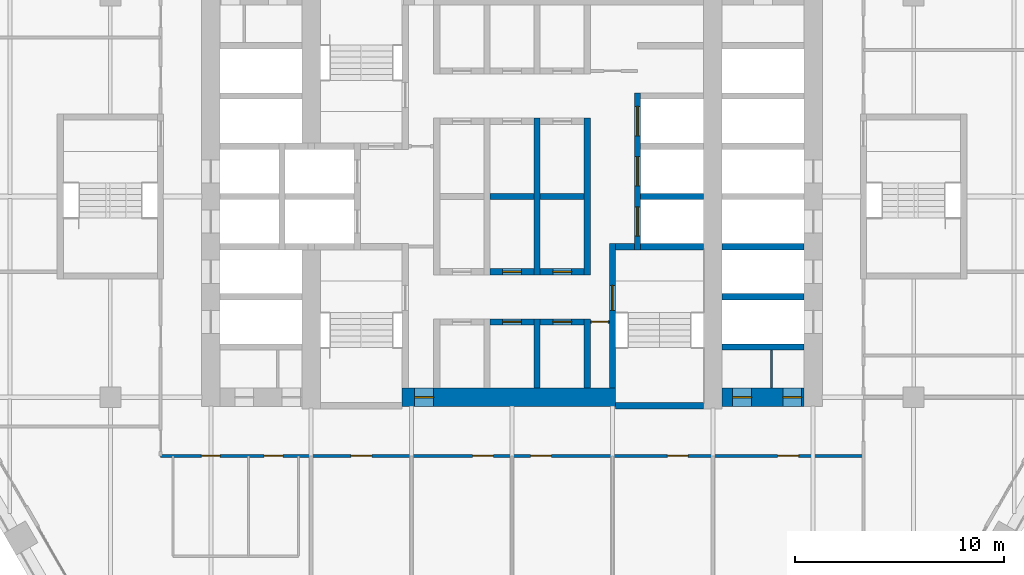
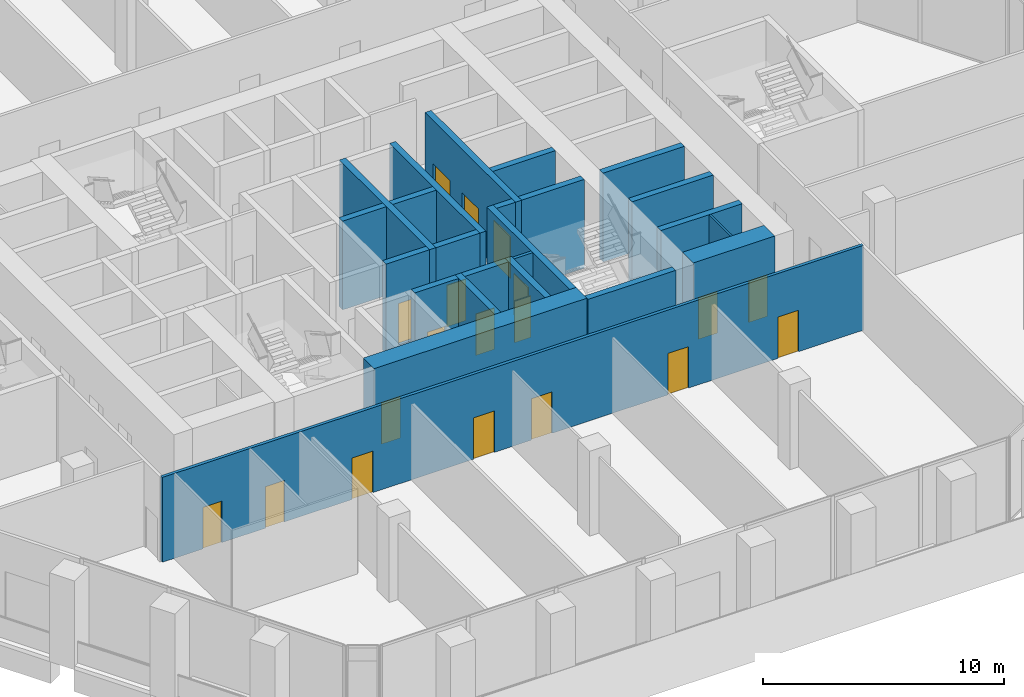
# One storey, part 14 of 22: 24 walls, 19 doors, 19 openings.
"""IFC4 building model written with IfcOpenShell, lengths in metres."""

from ifc_helpers import new_model, si_unit, direction, frame, frame_2d, origin, place, context, subcontext, project, spatial, rectangle, extrude, material, layer, layer_set, type_object, element, fill, save


model = new_model("IFC4")

# Units and contexts
model_context = context("Model", 3, precision=1e-05, world=origin(), true_north=direction((0.0, 1.0)))
body_context = subcontext(model_context, "Body", "Model", "MODEL_VIEW")
ifc_project = project(units=[si_unit("LENGTHUNIT", "METRE"), si_unit("AREAUNIT", "SQUARE_METRE"), si_unit("VOLUMEUNIT", "CUBIC_METRE"), si_unit("PLANEANGLEUNIT", "RADIAN"), si_unit("MASSUNIT", "GRAM", prefix="KILO")], contexts=[model_context])

# Site, building, storey
site_placement = place(None, origin())
site = spatial("IfcSite", under=ifc_project, at=site_placement, CompositionType="ELEMENT")
building_placement = place(site_placement, origin())
building = spatial("IfcBuilding", under=site, at=building_placement, Name="Kolab Exchange Tower", CompositionType="ELEMENT")
storey_placement = place(building_placement, frame((0.0, 0.0, 113.89990234375)))
storey = spatial("IfcBuildingStorey", under=building, at=storey_placement, Name="L22", CompositionType="ELEMENT", Elevation=113.89990234375)

# Wall, opening, door
ifc_material_1 = material(Name="Concrete C70/85", Category="concrete")
ifc_layer_1 = layer(ifc_material_1, 0.89990234375)
ifc_layer_set_1 = layer_set([ifc_layer_1], Name="Concrete C70/85")
wall_type_1 = type_object("IfcWallType", Name="CORE WALL 900 C70/85", PredefinedType="SHEAR", material=ifc_layer_set_1)
wall_1_placement = place(storey_placement, frame((-5.25, -9.60009765625, -0.199951171875), z_axis=(0.0, 0.0, 1.0), x_axis=(1.0, 0.0, 0.0)))
wall_1 = element("IfcWall", 1, at=wall_1_placement, inside=storey, type_object=wall_type_1, Name="wall/L22/core/003", PredefinedType="SHEAR", context=body_context, shape_type="SweptSolid", body=[
    extrude(rectangle(XDim=10.199951171875, YDim=0.89990234375, at=frame_2d((5.10009765625, 0.0))), origin(), (0.0, 0.0, 1.0), 4.5),
])
opening_1_placement = place(wall_1_placement, frame((0.60009765625, 0.0, 0.199951171875)))
opening_1 = element("IfcOpeningElement", 2, at=opening_1_placement, cuts=wall_1, Name="Opening D6-203", PredefinedType="OPENING", context=body_context, shape_type="SweptSolid", body=[
    extrude(rectangle(XDim=0.89990234375, YDim=2.10009765625, at=frame_2d((0.449951171875, 1.050048828125))), frame((0.0, 0.4599609375, 0.0), z_axis=(0.0, -1.0, 0.0), x_axis=(1.0, 0.0, 0.0)), (0.0, 0.0, 1.0), 0.919921875),
])
ifc_material_2 = material(Name="Steel S235", Category="steel")
door_type_1 = type_object("IfcDoorType", Name="CORE DOOR 900 EI 120", OperationType="SINGLE_SWING_LEFT", PredefinedType="DOOR", material=ifc_material_2)
door_1_placement = place(opening_1_placement, origin())
door_1 = element("IfcDoor", 3, at=door_1_placement, inside=storey, type_object=door_type_1, Name="Core lobby door", OperationType="SINGLE_SWING_RIGHT", OverallHeight=2.10009765625, OverallWidth=0.89990234375, PredefinedType="DOOR", context=body_context, shape_type="SweptSolid", body=[
    extrude(rectangle(XDim=0.89990234375, YDim=2.10009765625, at=frame_2d((0.449951171875, 1.050048828125))), frame((0.0, 0.02490234375, 0.0), z_axis=(0.0, -1.0, 0.0), x_axis=(1.0, 0.0, 0.0)), (0.0, 0.0, 1.0), 0.050048828125),
])
fill(opening_1, door_1)

# Wall, openings, doors
wall_2_placement = place(storey_placement, frame((10.050048828125, -9.60009765625, -0.199951171875), z_axis=(0.0, 0.0, 1.0), x_axis=(1.0, 0.0, 0.0)))
wall_2 = element("IfcWall", 4, at=wall_2_placement, inside=storey, type_object=wall_type_1, Name="wall/L22/core/004", PredefinedType="SHEAR", context=body_context, shape_type="SweptSolid", body=[
    extrude(rectangle(XDim=3.89990234375, YDim=0.89990234375, at=frame_2d((1.949951171875, 0.0))), origin(), (0.0, 0.0, 1.0), 4.5),
])
opening_2_placement = place(wall_2_placement, frame((0.5, 0.0, 0.199951171875)))
opening_2 = element("IfcOpeningElement", 5, at=opening_2_placement, cuts=wall_2, Name="Opening D6-232", PredefinedType="OPENING", context=body_context, shape_type="SweptSolid", body=[
    extrude(rectangle(XDim=0.89990234375, YDim=2.10009765625, at=frame_2d((0.449951171875, 1.050048828125))), frame((0.0, 0.4599609375, 0.0), z_axis=(0.0, -1.0, 0.0), x_axis=(1.0, 0.0, 0.0)), (0.0, 0.0, 1.0), 0.919921875),
])
opening_3_placement = place(wall_2_placement, frame((2.89990234375, 0.0, 0.199951171875)))
opening_3 = element("IfcOpeningElement", 6, at=opening_3_placement, cuts=wall_2, Name="Opening D6-233", PredefinedType="OPENING", context=body_context, shape_type="SweptSolid", body=[
    extrude(rectangle(XDim=0.89990234375, YDim=2.10009765625, at=frame_2d((0.449951171875, 1.050048828125))), frame((0.0, 0.4599609375, 0.0), z_axis=(0.0, -1.0, 0.0), x_axis=(1.0, 0.0, 0.0)), (0.0, 0.0, 1.0), 0.919921875),
])
door_2_placement = place(opening_2_placement, origin())
door_2 = element("IfcDoor", 7, at=door_2_placement, inside=storey, type_object=door_type_1, Name="Service room door", OperationType="SINGLE_SWING_LEFT", OverallHeight=2.10009765625, OverallWidth=0.89990234375, PredefinedType="DOOR", context=body_context, shape_type="SweptSolid", body=[
    extrude(rectangle(XDim=0.89990234375, YDim=2.10009765625, at=frame_2d((0.449951171875, 1.050048828125))), frame((0.0, 0.02490234375, 0.0), z_axis=(0.0, -1.0, 0.0), x_axis=(1.0, 0.0, 0.0)), (0.0, 0.0, 1.0), 0.050048828125),
])
fill(opening_2, door_2)
door_3_placement = place(opening_3_placement, origin())
door_3 = element("IfcDoor", 8, at=door_3_placement, inside=storey, type_object=door_type_1, Name="Service room door", OperationType="SINGLE_SWING_LEFT", OverallHeight=2.10009765625, OverallWidth=0.89990234375, PredefinedType="DOOR", context=body_context, shape_type="SweptSolid", body=[
    extrude(rectangle(XDim=0.89990234375, YDim=2.10009765625, at=frame_2d((0.449951171875, 1.050048828125))), frame((0.0, 0.02490234375, 0.0), z_axis=(0.0, -1.0, 0.0), x_axis=(1.0, 0.0, 0.0)), (0.0, 0.0, 1.0), 0.050048828125),
])
fill(opening_3, door_3)

# Wall
ifc_material_3 = material(Name="Concrete C50/60", Category="concrete")
ifc_layer_2 = layer(ifc_material_3, 0.300048828125)
ifc_layer_set_2 = layer_set([ifc_layer_2], Name="Concrete C50/60")
wall_type_2 = type_object("IfcWallType", Name="LIFT SHAFT WALL 300 C50/60", PredefinedType="STANDARD", material=ifc_layer_set_2)
wall_3_placement = place(storey_placement, frame((10.050048828125, -7.199951171875, -0.199951171875), z_axis=(0.0, 0.0, 1.0), x_axis=(1.0, 0.0, 0.0)))
element("IfcWall", 9, at=wall_3_placement, inside=storey, type_object=wall_type_2, Name="wall/L22/core/006", PredefinedType="STANDARD", context=body_context, shape_type="SweptSolid", body=[
    extrude(rectangle(XDim=3.89990234375, YDim=0.300048828125, at=frame_2d((1.949951171875, 0.0))), origin(), (0.0, 0.0, 1.0), 4.5),
])

# Wall, opening, door
wall_4_placement = place(storey_placement, frame((-1.050048828125, -6.0, -0.199951171875), z_axis=(0.0, 0.0, 1.0), x_axis=(1.0, 0.0, 0.0)))
wall_4 = element("IfcWall", 10, at=wall_4_placement, inside=storey, type_object=wall_type_2, Name="wall/L22/core/008", PredefinedType="STANDARD", context=body_context, shape_type="SweptSolid", body=[
    extrude(rectangle(XDim=2.10009765625, YDim=0.300048828125, at=frame_2d((1.050048828125, 0.0))), origin(), (0.0, 0.0, 1.0), 4.5),
])
opening_4_placement = place(wall_4_placement, frame((0.60009765625, 0.0, 0.199951171875)))
opening_4 = element("IfcOpeningElement", 11, at=opening_4_placement, cuts=wall_4, Name="Opening D6-201", PredefinedType="OPENING", context=body_context, shape_type="SweptSolid", body=[
    extrude(rectangle(XDim=0.89990234375, YDim=2.10009765625, at=frame_2d((0.449951171875, 1.050048828125))), frame((0.0, 0.16015625, 0.0), z_axis=(0.0, -1.0, 0.0), x_axis=(1.0, 0.0, 0.0)), (0.0, 0.0, 1.0), 0.320068359375),
])
door_4_placement = place(opening_4_placement, frame((0.89990234375, 0.0, 0.0), z_axis=(0.0, 0.0, 1.0), x_axis=(-1.0, 0.0, 0.0)))
door_4 = element("IfcDoor", 12, at=door_4_placement, inside=storey, type_object=door_type_1, Name="Service room door", OperationType="SINGLE_SWING_LEFT", OverallHeight=2.10009765625, OverallWidth=0.89990234375, PredefinedType="DOOR", context=body_context, shape_type="SweptSolid", body=[
    extrude(rectangle(XDim=0.89990234375, YDim=2.10009765625, at=frame_2d((0.449951171875, 1.050048828125))), frame((0.0, 0.02490234375, 0.0), z_axis=(0.0, -1.0, 0.0), x_axis=(1.0, 0.0, 0.0)), (0.0, 0.0, 1.0), 0.050048828125),
])
fill(opening_4, door_4)

wall_5_placement = place(storey_placement, frame((1.35009765625, -6.0, -0.199951171875), z_axis=(0.0, 0.0, 1.0), x_axis=(1.0, 0.0, 0.0)))
wall_5 = element("IfcWall", 13, at=wall_5_placement, inside=storey, type_object=wall_type_2, Name="wall/L22/core/009", PredefinedType="STANDARD", context=body_context, shape_type="SweptSolid", body=[
    extrude(rectangle(XDim=2.099853515625, YDim=0.300048828125, at=frame_2d((1.0498046875, 0.0))), origin(), (0.0, 0.0, 1.0), 4.5),
])
opening_5_placement = place(wall_5_placement, frame((0.60009765625, 0.0, 0.199951171875)))
opening_5 = element("IfcOpeningElement", 14, at=opening_5_placement, cuts=wall_5, Name="Opening D6-200", PredefinedType="OPENING", context=body_context, shape_type="SweptSolid", body=[
    extrude(rectangle(XDim=0.89990234375, YDim=2.10009765625, at=frame_2d((0.449951171875, 1.050048828125))), frame((0.0, 0.16015625, 0.0), z_axis=(0.0, -1.0, 0.0), x_axis=(1.0, 0.0, 0.0)), (0.0, 0.0, 1.0), 0.320068359375),
])
door_5_placement = place(opening_5_placement, frame((0.89990234375, 0.0, 0.0), z_axis=(0.0, 0.0, 1.0), x_axis=(-1.0, 0.0, 0.0)))
door_5 = element("IfcDoor", 15, at=door_5_placement, inside=storey, type_object=door_type_1, Name="Service room door", OperationType="SINGLE_SWING_RIGHT", OverallHeight=2.10009765625, OverallWidth=0.89990234375, PredefinedType="DOOR", context=body_context, shape_type="SweptSolid", body=[
    extrude(rectangle(XDim=0.89990234375, YDim=2.10009765625, at=frame_2d((0.449951171875, 1.050048828125))), frame((0.0, 0.02490234375, 0.0), z_axis=(0.0, -1.0, 0.0), x_axis=(1.0, 0.0, 0.0)), (0.0, 0.0, 1.0), 0.050048828125),
])
fill(opening_5, door_5)

# Wall
wall_6_placement = place(storey_placement, frame((10.050048828125, -4.800048828125, -0.199951171875), z_axis=(0.0, 0.0, 1.0), x_axis=(1.0, 0.0, 0.0)))
element("IfcWall", 16, at=wall_6_placement, inside=storey, type_object=wall_type_2, Name="wall/L22/core/011", PredefinedType="STANDARD", context=body_context, shape_type="SweptSolid", body=[
    extrude(rectangle(XDim=3.89990234375, YDim=0.300048828125, at=frame_2d((1.949951171875, 0.0))), origin(), (0.0, 0.0, 1.0), 4.5),
])

# Wall, opening, door
wall_7_placement = place(storey_placement, frame((-1.050048828125, -3.60009765625, -0.199951171875), z_axis=(0.0, 0.0, 1.0), x_axis=(1.0, 0.0, 0.0)))
wall_7 = element("IfcWall", 17, at=wall_7_placement, inside=storey, type_object=wall_type_2, Name="wall/L22/core/015", PredefinedType="STANDARD", context=body_context, shape_type="SweptSolid", body=[
    extrude(rectangle(XDim=2.10009765625, YDim=0.300048828125, at=frame_2d((1.050048828125, 0.0))), origin(), (0.0, 0.0, 1.0), 4.5),
])
opening_6_placement = place(wall_7_placement, frame((0.60009765625, 0.0, 0.199951171875)))
opening_6 = element("IfcOpeningElement", 18, at=opening_6_placement, cuts=wall_7, Name="Opening D6-215", PredefinedType="OPENING", context=body_context, shape_type="SweptSolid", body=[
    extrude(rectangle(XDim=0.89990234375, YDim=2.10009765625, at=frame_2d((0.449951171875, 1.050048828125))), frame((0.0, 0.16015625, 0.0), z_axis=(0.0, -1.0, 0.0), x_axis=(1.0, 0.0, 0.0)), (0.0, 0.0, 1.0), 0.320068359375),
])
door_6_placement = place(opening_6_placement, origin())
door_6 = element("IfcDoor", 19, at=door_6_placement, inside=storey, type_object=door_type_1, Name="Service room door", OperationType="SINGLE_SWING_LEFT", OverallHeight=2.10009765625, OverallWidth=0.89990234375, PredefinedType="DOOR", context=body_context, shape_type="SweptSolid", body=[
    extrude(rectangle(XDim=0.89990234375, YDim=2.10009765625, at=frame_2d((0.449951171875, 1.050048828125))), frame((0.0, 0.02490234375, 0.0), z_axis=(0.0, -1.0, 0.0), x_axis=(1.0, 0.0, 0.0)), (0.0, 0.0, 1.0), 0.050048828125),
])
fill(opening_6, door_6)

wall_8_placement = place(storey_placement, frame((1.35009765625, -3.60009765625, -0.199951171875), z_axis=(0.0, 0.0, 1.0), x_axis=(1.0, 0.0, 0.0)))
wall_8 = element("IfcWall", 20, at=wall_8_placement, inside=storey, type_object=wall_type_2, Name="wall/L22/core/016", PredefinedType="STANDARD", context=body_context, shape_type="SweptSolid", body=[
    extrude(rectangle(XDim=2.099853515625, YDim=0.300048828125, at=frame_2d((1.0498046875, 0.0))), origin(), (0.0, 0.0, 1.0), 4.5),
])
opening_7_placement = place(wall_8_placement, frame((0.60009765625, 0.0, 0.199951171875)))
opening_7 = element("IfcOpeningElement", 21, at=opening_7_placement, cuts=wall_8, Name="Opening D6-197", PredefinedType="OPENING", context=body_context, shape_type="SweptSolid", body=[
    extrude(rectangle(XDim=0.89990234375, YDim=2.10009765625, at=frame_2d((0.449951171875, 1.050048828125))), frame((0.0, 0.16015625, 0.0), z_axis=(0.0, -1.0, 0.0), x_axis=(1.0, 0.0, 0.0)), (0.0, 0.0, 1.0), 0.320068359375),
])
door_7_placement = place(opening_7_placement, origin())
door_7 = element("IfcDoor", 22, at=door_7_placement, inside=storey, type_object=door_type_1, Name="Service room door", OperationType="SINGLE_SWING_RIGHT", OverallHeight=2.10009765625, OverallWidth=0.89990234375, PredefinedType="DOOR", context=body_context, shape_type="SweptSolid", body=[
    extrude(rectangle(XDim=0.89990234375, YDim=2.10009765625, at=frame_2d((0.449951171875, 1.050048828125))), frame((0.0, 0.02490234375, 0.0), z_axis=(0.0, -1.0, 0.0), x_axis=(1.0, 0.0, 0.0)), (0.0, 0.0, 1.0), 0.050048828125),
])
fill(opening_7, door_7)

# Walls
wall_9_placement = place(storey_placement, frame((10.050048828125, -2.39990234375, -0.199951171875), z_axis=(0.0, 0.0, 1.0), x_axis=(1.0, 0.0, 0.0)))
element("IfcWall", 23, at=wall_9_placement, inside=storey, type_object=wall_type_2, Name="wall/L22/core/023", PredefinedType="STANDARD", context=body_context, shape_type="SweptSolid", body=[
    extrude(rectangle(XDim=3.89990234375, YDim=0.300048828125, at=frame_2d((1.949951171875, 0.0))), origin(), (0.0, 0.0, 1.0), 4.5),
])
wall_10_placement = place(storey_placement, frame((-1.050048828125, 0.0, -0.199951171875), z_axis=(0.0, 0.0, 1.0), x_axis=(1.0, 0.0, 0.0)))
element("IfcWall", 24, at=wall_10_placement, inside=storey, type_object=wall_type_2, Name="wall/L22/core/027", PredefinedType="STANDARD", context=body_context, shape_type="SweptSolid", body=[
    extrude(rectangle(XDim=2.10009765625, YDim=0.300048828125, at=frame_2d((1.050048828125, 0.0))), origin(), (0.0, 0.0, 1.0), 4.5),
])
wall_11_placement = place(storey_placement, frame((1.35009765625, 0.0, -0.199951171875), z_axis=(0.0, 0.0, 1.0), x_axis=(1.0, 0.0, 0.0)))
element("IfcWall", 25, at=wall_11_placement, inside=storey, type_object=wall_type_2, Name="wall/L22/core/028", PredefinedType="STANDARD", context=body_context, shape_type="SweptSolid", body=[
    extrude(rectangle(XDim=2.099853515625, YDim=0.300048828125, at=frame_2d((1.0498046875, 0.0))), origin(), (0.0, 0.0, 1.0), 4.5),
])
wall_12_placement = place(storey_placement, frame((6.14990234375, 0.0, -0.199951171875), z_axis=(0.0, 0.0, 1.0), x_axis=(1.0, 0.0, 0.0)))
element("IfcWall", 26, at=wall_12_placement, inside=storey, type_object=wall_type_2, Name="wall/L22/core/029", PredefinedType="STANDARD", context=body_context, shape_type="SweptSolid", body=[
    extrude(rectangle(XDim=3.0, YDim=0.300048828125, at=frame_2d((1.5, 0.0))), origin(), (0.0, 0.0, 1.0), 4.5),
])
wall_13_placement = place(storey_placement, frame((1.199951171875, -9.14990234375, -0.199951171875), z_axis=(0.0, 0.0, 1.0), x_axis=(0.0, 1.0, 0.0)))
element("IfcWall", 27, at=wall_13_placement, inside=storey, type_object=wall_type_2, Name="wall/L22/core/072", PredefinedType="STANDARD", context=body_context, shape_type="SweptSolid", body=[
    extrude(rectangle(XDim=3.2998046875, YDim=0.300048828125, at=frame_2d((1.64990234375, 0.0))), origin(), (0.0, 0.0, 1.0), 4.5),
])
wall_14_placement = place(storey_placement, frame((1.199951171875, -3.75, -0.199951171875), z_axis=(0.0, 0.0, 1.0), x_axis=(0.0, 1.0, 0.0)))
element("IfcWall", 28, at=wall_14_placement, inside=storey, type_object=wall_type_2, Name="wall/L22/core/073", PredefinedType="STANDARD", context=body_context, shape_type="SweptSolid", body=[
    extrude(rectangle(XDim=7.5, YDim=0.300048828125, at=frame_2d((3.75, 0.0))), origin(), (0.0, 0.0, 1.0), 4.5),
])
wall_15_placement = place(storey_placement, frame((3.60009765625, -9.14990234375, -0.199951171875), z_axis=(0.0, 0.0, 1.0), x_axis=(0.0, 1.0, 0.0)))
element("IfcWall", 29, at=wall_15_placement, inside=storey, type_object=wall_type_2, Name="wall/L22/core/075", PredefinedType="STANDARD", context=body_context, shape_type="SweptSolid", body=[
    extrude(rectangle(XDim=3.2998046875, YDim=0.300048828125, at=frame_2d((1.64990234375, 0.0))), origin(), (0.0, 0.0, 1.0), 4.5),
])
wall_16_placement = place(storey_placement, frame((3.60009765625, -3.75, -0.199951171875), z_axis=(0.0, 0.0, 1.0), x_axis=(0.0, 1.0, 0.0)))
element("IfcWall", 30, at=wall_16_placement, inside=storey, type_object=wall_type_2, Name="wall/L22/core/076", PredefinedType="STANDARD", context=body_context, shape_type="SweptSolid", body=[
    extrude(rectangle(XDim=7.5, YDim=0.300048828125, at=frame_2d((3.75, 0.0))), origin(), (0.0, 0.0, 1.0), 4.5),
])

# Wall, openings, doors
wall_17_placement = place(storey_placement, frame((6.0, -2.550048828125, -0.199951171875), z_axis=(0.0, 0.0, 1.0), x_axis=(0.0, 1.0, 0.0)))
wall_17 = element("IfcWall", 31, at=wall_17_placement, inside=storey, type_object=wall_type_2, Name="wall/L22/core/079", PredefinedType="STANDARD", context=body_context, shape_type="SweptSolid", body=[
    extrude(rectangle(XDim=7.5, YDim=0.300048828125, at=frame_2d((3.75, 0.0))), origin(), (0.0, 0.0, 1.0), 4.5),
])
opening_8_placement = place(wall_17_placement, frame((0.64990234375, 0.0, 0.199951171875)))
opening_8 = element("IfcOpeningElement", 32, at=opening_8_placement, cuts=wall_17, Name="Opening LD3-025", PredefinedType="OPENING", context=body_context, shape_type="SweptSolid", body=[
    extrude(rectangle(XDim=1.39990234375, YDim=2.10009765625, at=frame_2d((0.699951171875, 1.050048828125))), frame((0.0, 0.16015625, 0.0), z_axis=(0.0, -1.0, 0.0), x_axis=(1.0, 0.0, 0.0)), (0.0, 0.0, 1.0), 0.320068359375),
])
opening_9_placement = place(wall_17_placement, frame((3.050048828125, 0.0, 0.199951171875)))
opening_9 = element("IfcOpeningElement", 33, at=opening_9_placement, cuts=wall_17, Name="Opening LD3-026", PredefinedType="OPENING", context=body_context, shape_type="SweptSolid", body=[
    extrude(rectangle(XDim=1.39990234375, YDim=2.10009765625, at=frame_2d((0.699951171875, 1.050048828125))), frame((0.0, 0.16015625, 0.0), z_axis=(0.0, -1.0, 0.0), x_axis=(1.0, 0.0, 0.0)), (0.0, 0.0, 1.0), 0.320068359375),
])
opening_10_placement = place(wall_17_placement, frame((5.449951171875, 0.0, 0.199951171875)))
opening_10 = element("IfcOpeningElement", 34, at=opening_10_placement, cuts=wall_17, Name="Opening LD3-027", PredefinedType="OPENING", context=body_context, shape_type="SweptSolid", body=[
    extrude(rectangle(XDim=1.39990234375, YDim=2.10009765625, at=frame_2d((0.699951171875, 1.050048828125))), frame((0.0, 0.16015625, 0.0), z_axis=(0.0, -1.0, 0.0), x_axis=(1.0, 0.0, 0.0)), (0.0, 0.0, 1.0), 0.320068359375),
])
ifc_material_4 = material(Name="Stainless steel 316", Category="steel")
door_type_2 = type_object("IfcDoorType", Name="LANDING DOOR 1400 SERVICE", OperationType="DOUBLE_DOOR_SLIDING", PredefinedType="DOOR", material=ifc_material_4)
door_8_placement = place(opening_8_placement, origin())
door_8 = element("IfcDoor", 35, at=door_8_placement, inside=storey, type_object=door_type_2, Name="Landing door SV1", OperationType="DOUBLE_DOOR_SLIDING", OverallHeight=2.10009765625, OverallWidth=1.39990234375, PredefinedType="DOOR", context=body_context, shape_type="SweptSolid", body=[
    extrude(rectangle(XDim=1.39990234375, YDim=2.10009765625, at=frame_2d((0.699951171875, 1.050048828125))), frame((0.0, 0.02490234375, 0.0), z_axis=(0.0, -1.0, 0.0), x_axis=(1.0, 0.0, 0.0)), (0.0, 0.0, 1.0), 0.050048828125),
])
fill(opening_8, door_8)
door_9_placement = place(opening_9_placement, origin())
door_9 = element("IfcDoor", 36, at=door_9_placement, inside=storey, type_object=door_type_2, Name="Landing door SV2", OperationType="DOUBLE_DOOR_SLIDING", OverallHeight=2.10009765625, OverallWidth=1.39990234375, PredefinedType="DOOR", context=body_context, shape_type="SweptSolid", body=[
    extrude(rectangle(XDim=1.39990234375, YDim=2.10009765625, at=frame_2d((0.699951171875, 1.050048828125))), frame((0.0, 0.02490234375, 0.0), z_axis=(0.0, -1.0, 0.0), x_axis=(1.0, 0.0, 0.0)), (0.0, 0.0, 1.0), 0.050048828125),
])
fill(opening_9, door_9)
door_10_placement = place(opening_10_placement, origin())
door_10 = element("IfcDoor", 37, at=door_10_placement, inside=storey, type_object=door_type_2, Name="Landing door SV3", OperationType="DOUBLE_DOOR_SLIDING", OverallHeight=2.10009765625, OverallWidth=1.39990234375, PredefinedType="DOOR", context=body_context, shape_type="SweptSolid", body=[
    extrude(rectangle(XDim=1.39990234375, YDim=2.10009765625, at=frame_2d((0.699951171875, 1.050048828125))), frame((0.0, 0.02490234375, 0.0), z_axis=(0.0, -1.0, 0.0), x_axis=(1.0, 0.0, 0.0)), (0.0, 0.0, 1.0), 0.050048828125),
])
fill(opening_10, door_10)

# Wall
ifc_material_5 = material(Name="Gypsum board", Category="gypsum")
ifc_layer_3 = layer(ifc_material_5, 0.10009765625)
ifc_layer_set_3 = layer_set([ifc_layer_3], Name="Gypsum board")
wall_type_3 = type_object("IfcWallType", Name="PARTITION 100", PredefinedType="PARTITIONING", material=ifc_layer_set_3)
wall_18_placement = place(storey_placement, frame((12.39990234375, -9.14990234375, 0.0), z_axis=(0.0, 0.0, 1.0), x_axis=(0.0, 1.0, 0.0)))
element("IfcWall", 38, at=wall_18_placement, inside=storey, type_object=wall_type_3, Name="Partition 002", PredefinedType="PARTITIONING", context=body_context, shape_type="SweptSolid", body=[
    extrude(rectangle(XDim=1.7998046875, YDim=0.10009765625, at=frame_2d((0.89990234375, 0.0))), origin(), (0.0, 0.0, 1.0), 4.300048828125),
])

# Wall, openings, doors
ifc_layer_4 = layer(ifc_material_5, 0.14990234375)
ifc_layer_set_4 = layer_set([ifc_layer_4], Name="Gypsum board")
wall_type_4 = type_object("IfcWallType", Name="PARTITION 150 FIRE-RATED", PredefinedType="PARTITIONING", material=ifc_layer_set_4)
wall_19_placement = place(storey_placement, frame((-16.800048828125, -12.39990234375, 0.0), z_axis=(0.0, 0.0, 1.0), x_axis=(1.0, 0.0, 0.0)))
wall_19 = element("IfcWall", 39, at=wall_19_placement, inside=storey, type_object=wall_type_4, Name="Partition 027", PredefinedType="PARTITIONING", context=body_context, shape_type="SweptSolid", body=[
    extrude(rectangle(XDim=33.60009765625, YDim=0.14990234375, at=frame_2d((16.800048828125, 0.0))), origin(), (0.0, 0.0, 1.0), 4.300048828125),
])
opening_11_placement = place(wall_19_placement, frame((9.10009765625, 0.0, 0.0)))
opening_11 = element("IfcOpeningElement", 40, at=opening_11_placement, cuts=wall_19, Name="Opening D1-308", PredefinedType="OPENING", context=body_context, shape_type="SweptSolid", body=[
    extrude(rectangle(XDim=1.0, YDim=2.10009765625, at=frame_2d((0.5, 1.050048828125))), frame((0.0, 0.0849609375, 0.0), z_axis=(0.0, -1.0, 0.0), x_axis=(1.0, 0.0, 0.0)), (0.0, 0.0, 1.0), 0.169921875),
])
opening_12_placement = place(wall_19_placement, frame((14.9150390625, 0.0, 0.0)))
opening_12 = element("IfcOpeningElement", 41, at=opening_12_placement, cuts=wall_19, Name="Opening D1-309", PredefinedType="OPENING", context=body_context, shape_type="SweptSolid", body=[
    extrude(rectangle(XDim=1.0, YDim=2.10009765625, at=frame_2d((0.5, 1.050048828125))), frame((0.0, 0.0849609375, 0.0), z_axis=(0.0, -1.0, 0.0), x_axis=(1.0, 0.0, 0.0)), (0.0, 0.0, 1.0), 0.169921875),
])
opening_13_placement = place(wall_19_placement, frame((17.68505859375, 0.0, 0.0)))
opening_13 = element("IfcOpeningElement", 42, at=opening_13_placement, cuts=wall_19, Name="Opening D1-310", PredefinedType="OPENING", context=body_context, shape_type="SweptSolid", body=[
    extrude(rectangle(XDim=1.0, YDim=2.10009765625, at=frame_2d((0.5, 1.050048828125))), frame((0.0, 0.0849609375, 0.0), z_axis=(0.0, -1.0, 0.0), x_axis=(1.0, 0.0, 0.0)), (0.0, 0.0, 1.0), 0.169921875),
])
opening_14_placement = place(wall_19_placement, frame((24.22509765625, 0.0, 0.0)))
opening_14 = element("IfcOpeningElement", 43, at=opening_14_placement, cuts=wall_19, Name="Opening D1-311", PredefinedType="OPENING", context=body_context, shape_type="SweptSolid", body=[
    extrude(rectangle(XDim=1.0, YDim=2.10009765625, at=frame_2d((0.5, 1.050048828125))), frame((0.0, 0.0849609375, 0.0), z_axis=(0.0, -1.0, 0.0), x_axis=(1.0, 0.0, 0.0)), (0.0, 0.0, 1.0), 0.169921875),
])
opening_15_placement = place(wall_19_placement, frame((29.5, 0.0, 0.0)))
opening_15 = element("IfcOpeningElement", 44, at=opening_15_placement, cuts=wall_19, Name="Opening D1-312", PredefinedType="OPENING", context=body_context, shape_type="SweptSolid", body=[
    extrude(rectangle(XDim=1.0, YDim=2.10009765625, at=frame_2d((0.5, 1.050048828125))), frame((0.0, 0.0849609375, 0.0), z_axis=(0.0, -1.0, 0.0), x_axis=(1.0, 0.0, 0.0)), (0.0, 0.0, 1.0), 0.169921875),
])
opening_16_placement = place(wall_19_placement, frame((1.949951171875, 0.0, 0.0)))
opening_16 = element("IfcOpeningElement", 45, at=opening_16_placement, cuts=wall_19, Name="Opening D3-029", PredefinedType="OPENING", context=body_context, shape_type="SweptSolid", body=[
    extrude(rectangle(XDim=0.89990234375, YDim=2.10009765625, at=frame_2d((0.449951171875, 1.050048828125))), frame((0.0, 0.0849609375, 0.0), z_axis=(0.0, -1.0, 0.0), x_axis=(1.0, 0.0, 0.0)), (0.0, 0.0, 1.0), 0.169921875),
])
opening_17_placement = place(wall_19_placement, frame((4.949951171875, 0.0, 0.0)))
opening_17 = element("IfcOpeningElement", 46, at=opening_17_placement, cuts=wall_19, Name="Opening D3-030", PredefinedType="OPENING", context=body_context, shape_type="SweptSolid", body=[
    extrude(rectangle(XDim=0.89990234375, YDim=2.10009765625, at=frame_2d((0.449951171875, 1.050048828125))), frame((0.0, 0.0849609375, 0.0), z_axis=(0.0, -1.0, 0.0), x_axis=(1.0, 0.0, 0.0)), (0.0, 0.0, 1.0), 0.169921875),
])
door_type_3 = type_object("IfcDoorType", Name="FLUSH DOOR 1000 FD60", OperationType="SINGLE_SWING_LEFT", PredefinedType="DOOR", material=ifc_material_2)
door_11_placement = place(opening_11_placement, frame((1.0, 0.0, 0.0), z_axis=(0.0, 0.0, 1.0), x_axis=(-1.0, 0.0, 0.0)))
door_11 = element("IfcDoor", 47, at=door_11_placement, inside=storey, type_object=door_type_3, Name="Door L22-055", OperationType="SINGLE_SWING_LEFT", OverallHeight=2.10009765625, OverallWidth=1.0, PredefinedType="DOOR", context=body_context, shape_type="SweptSolid", body=[
    extrude(rectangle(XDim=1.0, YDim=2.10009765625, at=frame_2d((0.5, 1.050048828125))), frame((0.0, 0.02490234375, 0.0), z_axis=(0.0, -1.0, 0.0), x_axis=(1.0, 0.0, 0.0)), (0.0, 0.0, 1.0), 0.050048828125),
])
fill(opening_11, door_11)
door_12_placement = place(opening_12_placement, frame((1.0, 0.0, 0.0), z_axis=(0.0, 0.0, 1.0), x_axis=(-1.0, 0.0, 0.0)))
door_12 = element("IfcDoor", 48, at=door_12_placement, inside=storey, type_object=door_type_3, Name="Door L22-056", OperationType="SINGLE_SWING_RIGHT", OverallHeight=2.10009765625, OverallWidth=1.0, PredefinedType="DOOR", context=body_context, shape_type="SweptSolid", body=[
    extrude(rectangle(XDim=1.0, YDim=2.10009765625, at=frame_2d((0.5, 1.050048828125))), frame((0.0, 0.02490234375, 0.0), z_axis=(0.0, -1.0, 0.0), x_axis=(1.0, 0.0, 0.0)), (0.0, 0.0, 1.0), 0.050048828125),
])
fill(opening_12, door_12)
door_13_placement = place(opening_13_placement, frame((1.0, 0.0, 0.0), z_axis=(0.0, 0.0, 1.0), x_axis=(-1.0, 0.0, 0.0)))
door_13 = element("IfcDoor", 49, at=door_13_placement, inside=storey, type_object=door_type_3, Name="Door L22-057", OperationType="SINGLE_SWING_LEFT", OverallHeight=2.10009765625, OverallWidth=1.0, PredefinedType="DOOR", context=body_context, shape_type="SweptSolid", body=[
    extrude(rectangle(XDim=1.0, YDim=2.10009765625, at=frame_2d((0.5, 1.050048828125))), frame((0.0, 0.02490234375, 0.0), z_axis=(0.0, -1.0, 0.0), x_axis=(1.0, 0.0, 0.0)), (0.0, 0.0, 1.0), 0.050048828125),
])
fill(opening_13, door_13)
door_14_placement = place(opening_14_placement, frame((1.0, 0.0, 0.0), z_axis=(0.0, 0.0, 1.0), x_axis=(-1.0, 0.0, 0.0)))
door_14 = element("IfcDoor", 50, at=door_14_placement, inside=storey, type_object=door_type_3, Name="Door L22-058", OperationType="SINGLE_SWING_RIGHT", OverallHeight=2.10009765625, OverallWidth=1.0, PredefinedType="DOOR", context=body_context, shape_type="SweptSolid", body=[
    extrude(rectangle(XDim=1.0, YDim=2.10009765625, at=frame_2d((0.5, 1.050048828125))), frame((0.0, 0.02490234375, 0.0), z_axis=(0.0, -1.0, 0.0), x_axis=(1.0, 0.0, 0.0)), (0.0, 0.0, 1.0), 0.050048828125),
])
fill(opening_14, door_14)
door_15_placement = place(opening_15_placement, frame((1.0, 0.0, 0.0), z_axis=(0.0, 0.0, 1.0), x_axis=(-1.0, 0.0, 0.0)))
door_15 = element("IfcDoor", 51, at=door_15_placement, inside=storey, type_object=door_type_3, Name="Door L22-059", OperationType="SINGLE_SWING_LEFT", OverallHeight=2.10009765625, OverallWidth=1.0, PredefinedType="DOOR", context=body_context, shape_type="SweptSolid", body=[
    extrude(rectangle(XDim=1.0, YDim=2.10009765625, at=frame_2d((0.5, 1.050048828125))), frame((0.0, 0.02490234375, 0.0), z_axis=(0.0, -1.0, 0.0), x_axis=(1.0, 0.0, 0.0)), (0.0, 0.0, 1.0), 0.050048828125),
])
fill(opening_15, door_15)
door_type_4 = type_object("IfcDoorType", Name="FLUSH DOOR 900 FD60", OperationType="SINGLE_SWING_LEFT", PredefinedType="DOOR", material=ifc_material_2)
door_16_placement = place(opening_16_placement, frame((0.89990234375, 0.0, 0.0), z_axis=(0.0, 0.0, 1.0), x_axis=(-1.0, 0.0, 0.0)))
door_16 = element("IfcDoor", 52, at=door_16_placement, inside=storey, type_object=door_type_4, Name="Door L22-070", OperationType="SINGLE_SWING_LEFT", OverallHeight=2.10009765625, OverallWidth=0.89990234375, PredefinedType="DOOR", context=body_context, shape_type="SweptSolid", body=[
    extrude(rectangle(XDim=0.89990234375, YDim=2.10009765625, at=frame_2d((0.449951171875, 1.050048828125))), frame((0.0, 0.02490234375, 0.0), z_axis=(0.0, -1.0, 0.0), x_axis=(1.0, 0.0, 0.0)), (0.0, 0.0, 1.0), 0.050048828125),
])
fill(opening_16, door_16)
door_17_placement = place(opening_17_placement, frame((0.89990234375, 0.0, 0.0), z_axis=(0.0, 0.0, 1.0), x_axis=(-1.0, 0.0, 0.0)))
door_17 = element("IfcDoor", 53, at=door_17_placement, inside=storey, type_object=door_type_4, Name="Door L22-071", OperationType="SINGLE_SWING_LEFT", OverallHeight=2.10009765625, OverallWidth=0.89990234375, PredefinedType="DOOR", context=body_context, shape_type="SweptSolid", body=[
    extrude(rectangle(XDim=0.89990234375, YDim=2.10009765625, at=frame_2d((0.449951171875, 1.050048828125))), frame((0.0, 0.02490234375, 0.0), z_axis=(0.0, -1.0, 0.0), x_axis=(1.0, 0.0, 0.0)), (0.0, 0.0, 1.0), 0.050048828125),
])
fill(opening_17, door_17)

# Wall, opening, door
wall_20_placement = place(storey_placement, frame((3.75, -6.0, 0.0), z_axis=(0.0, 0.0, 1.0), x_axis=(1.0, 0.0, 0.0)))
wall_20 = element("IfcWall", 54, at=wall_20_placement, inside=storey, type_object=wall_type_4, Name="Partition 032", PredefinedType="PARTITIONING", context=body_context, shape_type="SweptSolid", body=[
    extrude(rectangle(XDim=0.89990234375, YDim=0.14990234375, at=frame_2d((0.449951171875, 0.0))), origin(), (0.0, 0.0, 1.0), 4.300048828125),
])
opening_18_placement = place(wall_20_placement, frame((0.050048828125, 0.0, 0.0)))
opening_18 = element("IfcOpeningElement", 55, at=opening_18_placement, cuts=wall_20, Name="Opening D7-019", PredefinedType="OPENING", context=body_context, shape_type="SweptSolid", body=[
    extrude(rectangle(XDim=0.800048828125, YDim=2.10009765625, at=frame_2d((0.39990234375, 1.050048828125))), frame((0.0, 0.0849609375, 0.0), z_axis=(0.0, -1.0, 0.0), x_axis=(1.0, 0.0, 0.0)), (0.0, 0.0, 1.0), 0.169921875),
])
door_type_5 = type_object("IfcDoorType", Name="FLUSH DOOR 800 FD60", OperationType="SINGLE_SWING_LEFT", PredefinedType="DOOR", material=ifc_material_2)
door_18_placement = place(opening_18_placement, frame((0.800048828125, 0.0, 0.0), z_axis=(0.0, 0.0, 1.0), x_axis=(-1.0, 0.0, 0.0)))
door_18 = element("IfcDoor", 56, at=door_18_placement, inside=storey, type_object=door_type_5, Name="Door L22-041", OperationType="SINGLE_SWING_RIGHT", OverallHeight=2.10009765625, OverallWidth=0.800048828125, PredefinedType="DOOR", context=body_context, shape_type="SweptSolid", body=[
    extrude(rectangle(XDim=0.800048828125, YDim=2.10009765625, at=frame_2d((0.39990234375, 1.050048828125))), frame((0.0, 0.02490234375, 0.0), z_axis=(0.0, -1.0, 0.0), x_axis=(1.0, 0.0, 0.0)), (0.0, 0.0, 1.0), 0.050048828125),
])
fill(opening_18, door_18)

# Walls
ifc_layer_5 = layer(ifc_material_3, 0.300048828125)
ifc_layer_set_5 = layer_set([ifc_layer_5], Name="Concrete C50/60")
wall_type_5 = type_object("IfcWallType", Name="STAIR ENCLOSURE WALL 300 C50/60", PredefinedType="STANDARD", material=ifc_layer_set_5)
wall_21_placement = place(storey_placement, frame((4.949951171875, -10.0, -0.199951171875), z_axis=(0.0, 0.0, 1.0), x_axis=(1.0, 0.0, 0.0)))
element("IfcWall", 57, at=wall_21_placement, inside=storey, type_object=wall_type_5, Name="wall/L22/core/001", PredefinedType="STANDARD", context=body_context, shape_type="SweptSolid", body=[
    extrude(rectangle(XDim=4.199951171875, YDim=0.300048828125, at=frame_2d((2.10009765625, 0.0))), origin(), (0.0, 0.0, 1.0), 4.5),
])
wall_22_placement = place(storey_placement, frame((4.949951171875, -2.39990234375, -0.199951171875), z_axis=(0.0, 0.0, 1.0), x_axis=(1.0, 0.0, 0.0)))
element("IfcWall", 58, at=wall_22_placement, inside=storey, type_object=wall_type_5, Name="wall/L22/core/021", PredefinedType="STANDARD", context=body_context, shape_type="SweptSolid", body=[
    extrude(rectangle(XDim=0.900146484375, YDim=0.300048828125, at=frame_2d((0.4501953125, 0.0))), origin(), (0.0, 0.0, 1.0), 4.5),
])
wall_23_placement = place(storey_placement, frame((6.14990234375, -2.39990234375, -0.199951171875), z_axis=(0.0, 0.0, 1.0), x_axis=(1.0, 0.0, 0.0)))
element("IfcWall", 59, at=wall_23_placement, inside=storey, type_object=wall_type_5, Name="wall/L22/core/022", PredefinedType="STANDARD", context=body_context, shape_type="SweptSolid", body=[
    extrude(rectangle(XDim=3.0, YDim=0.300048828125, at=frame_2d((1.5, 0.0))), origin(), (0.0, 0.0, 1.0), 4.5),
])

# Wall, opening, door
wall_24_placement = place(storey_placement, frame((4.800048828125, -9.14990234375, -0.199951171875), z_axis=(0.0, 0.0, 1.0), x_axis=(0.0, 1.0, 0.0)))
wall_24 = element("IfcWall", 60, at=wall_24_placement, inside=storey, type_object=wall_type_5, Name="wall/L22/core/078", PredefinedType="STANDARD", context=body_context, shape_type="SweptSolid", body=[
    extrude(rectangle(XDim=6.89990234375, YDim=0.300048828125, at=frame_2d((3.449951171875, 0.0))), origin(), (0.0, 0.0, 1.0), 4.5),
])
opening_19_placement = place(wall_24_placement, frame((3.699951171875, 0.0, 0.199951171875)))
opening_19 = element("IfcOpeningElement", 61, at=opening_19_placement, cuts=wall_24, Name="Opening D4-045", PredefinedType="OPENING", context=body_context, shape_type="SweptSolid", body=[
    extrude(rectangle(XDim=1.199951171875, YDim=2.10009765625, at=frame_2d((0.60009765625, 1.050048828125))), frame((0.0, 0.16015625, 0.0), z_axis=(0.0, -1.0, 0.0), x_axis=(1.0, 0.0, 0.0)), (0.0, 0.0, 1.0), 0.320068359375),
])
door_type_6 = type_object("IfcDoorType", Name="STAIR DOOR 1200 EI 120", OperationType="SINGLE_SWING_LEFT", PredefinedType="DOOR", material=ifc_material_2)
door_19_placement = place(opening_19_placement, frame((1.199951171875, 0.0, 0.0), z_axis=(0.0, 0.0, 1.0), x_axis=(-1.0, 0.0, 0.0)))
door_19 = element("IfcDoor", 62, at=door_19_placement, inside=storey, type_object=door_type_6, Name="Stair 2 door", OperationType="SINGLE_SWING_RIGHT", OverallHeight=2.10009765625, OverallWidth=1.199951171875, PredefinedType="DOOR", context=body_context, shape_type="SweptSolid", body=[
    extrude(rectangle(XDim=1.199951171875, YDim=2.10009765625, at=frame_2d((0.60009765625, 1.050048828125))), frame((0.0, 0.02490234375, 0.0), z_axis=(0.0, -1.0, 0.0), x_axis=(1.0, 0.0, 0.0)), (0.0, 0.0, 1.0), 0.050048828125),
])
fill(opening_19, door_19)

save(model, "model.ifc")
